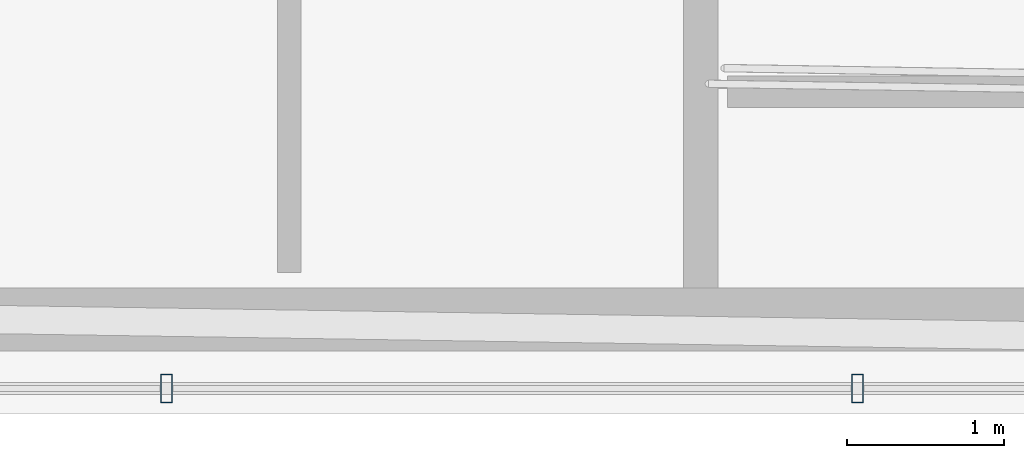
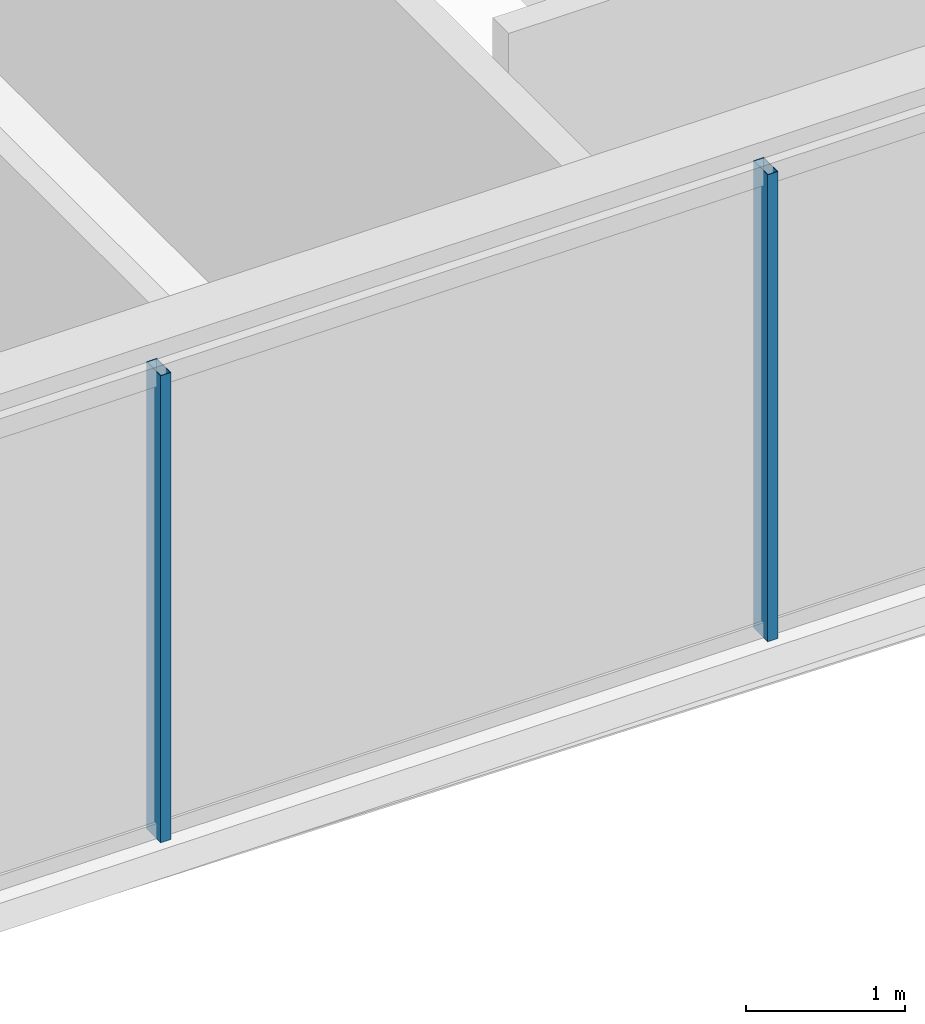
# One storey, part 7 of 32: 2 members, 1 element without a shape of its own.
"""IFC4 building model written with IfcOpenShell, lengths in metres."""

from ifc_helpers import new_model, si_unit, direction, frame, origin, origin_2d, place, context, subcontext, project, spatial, hollow_rectangle, extrude, material, layer, layer_set, material_profile, profile_set, type_object, element, aggregate, save


model = new_model("IFC4")

# Units and contexts
model_context = context("Model", 3, precision=1e-05, world=origin(), true_north=direction((0.0, 1.0)))
body_context = subcontext(model_context, "Body", "Model", "MODEL_VIEW")
ifc_project = project(units=[si_unit("LENGTHUNIT", "METRE"), si_unit("AREAUNIT", "SQUARE_METRE"), si_unit("VOLUMEUNIT", "CUBIC_METRE"), si_unit("PLANEANGLEUNIT", "RADIAN"), si_unit("MASSUNIT", "GRAM", prefix="KILO")], contexts=[model_context])

# Site, building, storey
site_placement = place(None, origin())
site = spatial("IfcSite", under=ifc_project, at=site_placement, CompositionType="ELEMENT")
building_placement = place(site_placement, origin())
building = spatial("IfcBuilding", under=site, at=building_placement, Name="Ndaravel Arena Tower", CompositionType="ELEMENT")
storey_placement = place(building_placement, frame((0.0, 0.0, 252.199951171875)))
storey = spatial("IfcBuildingStorey", under=building, at=storey_placement, Name="L61", CompositionType="ELEMENT", Elevation=252.199951171875)

# Curtain wall, members
ifc_material_1 = material(Name="Aluminium", Category="aluminium")
ifc_layer = layer(ifc_material_1, 0.179931640625)
ifc_layer_set = layer_set([ifc_layer], Name="Aluminium")
curtain_wall_type = type_object("IfcCurtainWallType", Name="CW-SYS-03", PredefinedType="NOTDEFINED", material=ifc_layer_set)
curtain_wall_placement = place(storey_placement, origin())
curtain_wall = element("IfcCurtainWall", 1, at=curtain_wall_placement, inside=storey, type_object=curtain_wall_type, Name="L61 Faceted Crystal Curtain Wall CW-L61-E01", PredefinedType="NOTDEFINED")
ifc_material_2 = material(Name="Aluminium", Category="aluminium")
ifc_material_profile = material_profile(ifc_material_2, hollow_rectangle(XDim=0.074951171875, YDim=0.179931640625, WallThickness=0.00390625, at=origin_2d()), Name="CW MULLION 75x180x4")
ifc_profile_set = profile_set([ifc_material_profile], Name="Aluminium")
member_type = type_object("IfcMemberType", Name="MEM-CW-MUL180", PredefinedType="MULLION", material=ifc_profile_set)
member_1_placement = place(storey_placement, frame((35.39892578125, 5.159912109375, 0.0), z_axis=(0.0, 0.0, 1.0), x_axis=(1.0, 0.0, 0.0)))
member_1 = element("IfcMember", 2, at=member_1_placement, type_object=member_type, Name="CW-L61-E01 Mullion 03", PredefinedType="MULLION", context=body_context, shape_type="SweptSolid", body=[
    extrude(hollow_rectangle(XDim=0.074951171875, YDim=0.179931640625, WallThickness=0.00390625, at=origin_2d()), origin(), (0.0, 0.0, 1.0), 3.580078125),
])
member_2_placement = place(storey_placement, frame((39.7998046875, 5.159912109375, 0.0), z_axis=(0.0, 0.0, 1.0), x_axis=(1.0, 0.0, 0.0)))
member_2 = element("IfcMember", 3, at=member_2_placement, type_object=member_type, Name="CW-L61-E01 Mullion 04", PredefinedType="MULLION", context=body_context, shape_type="SweptSolid", body=[
    extrude(hollow_rectangle(XDim=0.074951171875, YDim=0.179931640625, WallThickness=0.00390625, at=origin_2d()), origin(), (0.0, 0.0, 1.0), 3.580078125),
])
aggregate(curtain_wall, [member_1, member_2])

save(model, "model.ifc")
